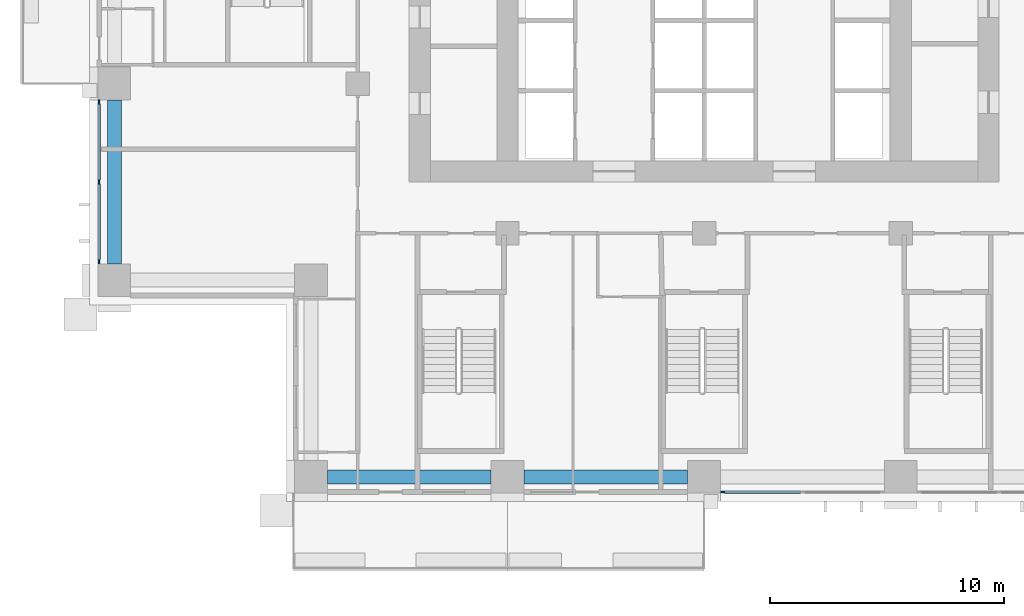
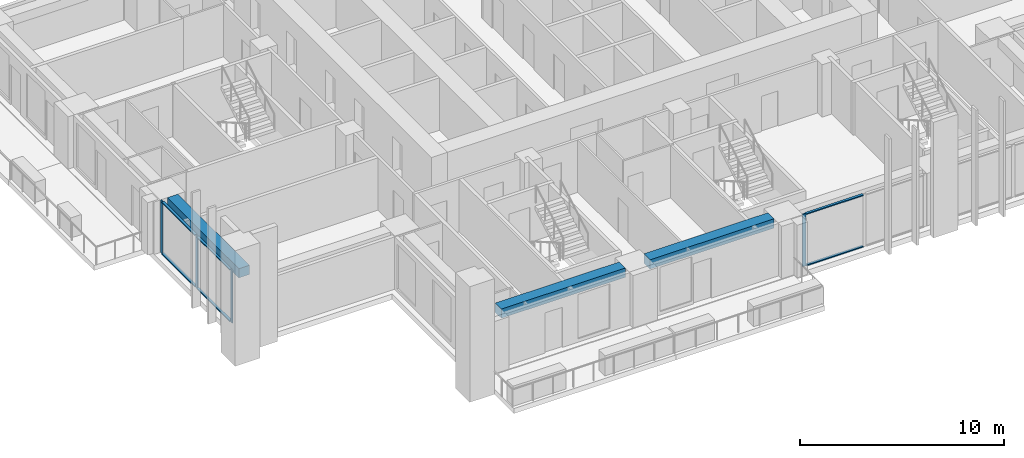
# One storey, part 2 of 18: 10 members, 3 beams, 2 elements without a shape of their own.
"""IFC4 building model written with IfcOpenShell, lengths in metres."""

from ifc_helpers import new_model, si_unit, direction, frame, origin, origin_2d, place, context, subcontext, project, spatial, rectangle, extrude, material, material_profile, profile_set, type_object, element, aggregate, save


model = new_model("IFC4")

# Units and contexts
model_context = context("Model", 3, precision=1e-05, world=origin(), true_north=direction((0.0, 1.0)))
body_context = subcontext(model_context, "Body", "Model", "MODEL_VIEW")
ifc_project = project(units=[si_unit("LENGTHUNIT", "METRE"), si_unit("AREAUNIT", "SQUARE_METRE"), si_unit("VOLUMEUNIT", "CUBIC_METRE"), si_unit("PLANEANGLEUNIT", "RADIAN"), si_unit("MASSUNIT", "GRAM", prefix="KILO")], contexts=[model_context])

# Site, building, storey
site_placement = place(None, origin())
site = spatial("IfcSite", under=ifc_project, at=site_placement, CompositionType="ELEMENT")
building_placement = place(site_placement, origin())
building = spatial("IfcBuilding", under=site, at=building_placement, Name="Vermilion Ogive Tower", CompositionType="ELEMENT")
storey_placement = place(building_placement, frame((0.0, 0.0, 55.199951171875)))
storey = spatial("IfcBuildingStorey", under=building, at=storey_placement, Name="L12", CompositionType="ELEMENT", Elevation=55.199951171875)

# Curtain wall, member
ifc_material_1 = material(Name="Low-iron laminated glazing in aluminium frame", Category="aluminium")
curtain_wall_type = type_object("IfcCurtainWallType", Name="Curtain wall CW7", PredefinedType="NOTDEFINED", material=ifc_material_1)
curtain_wall_1_placement = place(storey_placement, origin())
curtain_wall_1 = element("IfcCurtainWall", 1, at=curtain_wall_1_placement, inside=storey, type_object=curtain_wall_type, Name="Glazed skin S3", PredefinedType="NOTDEFINED")
ifc_material_2 = material(Name="Aluminium mullion", Category="aluminium")
ifc_material_profile_1 = material_profile(ifc_material_2, rectangle(XDim=0.06005859375, YDim=0.179931640625, at=origin_2d()), Name="AL 60x180")
ifc_profile_set_1 = profile_set([ifc_material_profile_1], Name="Aluminium mullion")
member_type_1 = type_object("IfcMemberType", Name="CW7 mullion 60x180", PredefinedType="MULLION", material=ifc_profile_set_1)
member_1_placement = place(storey_placement, frame((0.7900390625, -21.64990234375, 0.0), z_axis=(0.0, 0.0, 1.0), x_axis=(0.0, 1.0, 0.0)))
member_1 = element("IfcMember", 2, at=member_1_placement, type_object=member_type_1, Name="CW7-S3 mullion 1", PredefinedType="MULLION", context=body_context, shape_type="SweptSolid", body=[
    extrude(rectangle(XDim=0.06005859375, YDim=0.179931640625, at=origin_2d()), origin(), (0.0, 0.0, 1.0), 3.130126953125),
])

# Curtain wall, members
curtain_wall_2_placement = place(storey_placement, origin())
curtain_wall_2 = element("IfcCurtainWall", 3, at=curtain_wall_2_placement, inside=storey, type_object=curtain_wall_type, Name="Glazed skin W3", PredefinedType="NOTDEFINED")
member_2_placement = place(storey_placement, frame((-25.85009765625, -4.989990234375, 0.0), z_axis=(0.0, 0.0, 1.0), x_axis=(1.0, 0.0, 0.0)))
member_2 = element("IfcMember", 4, at=member_2_placement, type_object=member_type_1, Name="CW7-W3 mullion 1", PredefinedType="MULLION", context=body_context, shape_type="SweptSolid", body=[
    extrude(rectangle(XDim=0.06005859375, YDim=0.179931640625, at=origin_2d()), origin(), (0.0, 0.0, 1.0), 3.130126953125),
])
member_3_placement = place(storey_placement, frame((-25.85009765625, -8.39990234375, 0.0), z_axis=(0.0, 0.0, 1.0), x_axis=(1.0, 0.0, 0.0)))
member_3 = element("IfcMember", 5, at=member_3_placement, type_object=member_type_1, Name="CW7-W3 mullion 2", PredefinedType="MULLION", context=body_context, shape_type="SweptSolid", body=[
    extrude(rectangle(XDim=0.06005859375, YDim=0.179931640625, at=origin_2d()), origin(), (0.0, 0.0, 1.0), 3.130126953125),
])
member_4_placement = place(storey_placement, frame((-25.85009765625, -11.81005859375, 0.0), z_axis=(0.0, 0.0, 1.0), x_axis=(1.0, 0.0, 0.0)))
member_4 = element("IfcMember", 6, at=member_4_placement, type_object=member_type_1, Name="CW7-W3 mullion 3", PredefinedType="MULLION", context=body_context, shape_type="SweptSolid", body=[
    extrude(rectangle(XDim=0.06005859375, YDim=0.179931640625, at=origin_2d()), origin(), (0.0, 0.0, 1.0), 3.130126953125),
])

# Member
ifc_material_3 = material(Name="Aluminium transom", Category="aluminium")
ifc_material_profile_2 = material_profile(ifc_material_3, rectangle(XDim=0.139892578125, YDim=0.06005859375, at=origin_2d()), Name="AL 60x140")
ifc_profile_set_2 = profile_set([ifc_material_profile_2], Name="Aluminium transom")
member_type_2 = type_object("IfcMemberType", Name="CW7 transom 60x140", PredefinedType="USERDEFINED", material=ifc_profile_set_2)
member_5_placement = place(storey_placement, frame((0.8798828125, -21.64990234375, 0.030029296875), z_axis=(1.0, 0.0, 0.0), x_axis=(0.0, 1.0, 0.0)))
member_5 = element("IfcMember", 7, at=member_5_placement, type_object=member_type_2, Name="CW7-S3 transom 1.1", ObjectType="TRANSOM", PredefinedType="USERDEFINED", context=body_context, shape_type="SweptSolid", body=[
    extrude(rectangle(XDim=0.139892578125, YDim=0.06005859375, at=origin_2d()), origin(), (0.0, 0.0, 1.0), 3.230224609375),
])

member_6_placement = place(storey_placement, frame((0.8798828125, -21.64990234375, 3.10009765625), z_axis=(1.0, 0.0, 0.0), x_axis=(0.0, 1.0, 0.0)))
member_6 = element("IfcMember", 8, at=member_6_placement, type_object=member_type_2, Name="CW7-S3 transom 1.2", ObjectType="TRANSOM", PredefinedType="USERDEFINED", context=body_context, shape_type="SweptSolid", body=[
    extrude(rectangle(XDim=0.139892578125, YDim=0.06005859375, at=origin_2d()), origin(), (0.0, 0.0, 1.0), 3.230224609375),
])

aggregate(curtain_wall_1, [member_1, member_5, member_6])

member_7_placement = place(storey_placement, frame((-25.85009765625, -5.080078125, 0.030029296875), z_axis=(0.0, -1.0, 0.0), x_axis=(1.0, 0.0, 0.0)))
member_7 = element("IfcMember", 9, at=member_7_placement, type_object=member_type_2, Name="CW7-W3 transom 1.1", ObjectType="TRANSOM", PredefinedType="USERDEFINED", context=body_context, shape_type="SweptSolid", body=[
    extrude(rectangle(XDim=0.139892578125, YDim=0.06005859375, at=origin_2d()), origin(), (0.0, 0.0, 1.0), 3.22998046875),
])

member_8_placement = place(storey_placement, frame((-25.85009765625, -5.080078125, 3.10009765625), z_axis=(0.0, -1.0, 0.0), x_axis=(1.0, 0.0, 0.0)))
member_8 = element("IfcMember", 10, at=member_8_placement, type_object=member_type_2, Name="CW7-W3 transom 1.2", ObjectType="TRANSOM", PredefinedType="USERDEFINED", context=body_context, shape_type="SweptSolid", body=[
    extrude(rectangle(XDim=0.139892578125, YDim=0.06005859375, at=origin_2d()), origin(), (0.0, 0.0, 1.0), 3.22998046875),
])

member_9_placement = place(storey_placement, frame((-25.85009765625, -8.489990234375, 0.030029296875), z_axis=(0.0, -1.0, 0.0), x_axis=(1.0, 0.0, 0.0)))
member_9 = element("IfcMember", 11, at=member_9_placement, type_object=member_type_2, Name="CW7-W3 transom 2.1", ObjectType="TRANSOM", PredefinedType="USERDEFINED", context=body_context, shape_type="SweptSolid", body=[
    extrude(rectangle(XDim=0.139892578125, YDim=0.06005859375, at=origin_2d()), origin(), (0.0, 0.0, 1.0), 3.22998046875),
])

member_10_placement = place(storey_placement, frame((-25.85009765625, -8.489990234375, 3.10009765625), z_axis=(0.0, -1.0, 0.0), x_axis=(1.0, 0.0, 0.0)))
member_10 = element("IfcMember", 12, at=member_10_placement, type_object=member_type_2, Name="CW7-W3 transom 2.2", ObjectType="TRANSOM", PredefinedType="USERDEFINED", context=body_context, shape_type="SweptSolid", body=[
    extrude(rectangle(XDim=0.139892578125, YDim=0.06005859375, at=origin_2d()), origin(), (0.0, 0.0, 1.0), 3.22998046875),
])

aggregate(curtain_wall_2, [member_2, member_3, member_4, member_7, member_8, member_9, member_10])

# Beams
ifc_material_4 = material(Name="Concrete B45", Category="concrete")
ifc_material_profile_3 = material_profile(ifc_material_4, rectangle(XDim=0.60009765625, YDim=0.550048828125, at=origin_2d()), Name="600 x 550")
ifc_profile_set_3 = profile_set([ifc_material_profile_3], Name="Concrete B45")
beam_type = type_object("IfcBeamType", Name="Edge beam 600 x 550 B45", PredefinedType="BEAM", material=ifc_profile_set_3)
for number, where, z_axis, x_axis, name in (
    (13, (-16.10009765625, -21.0, 2.85498046875), (1.0, 0.0, 0.0), (0.0, 1.0, 0.0), "L12-EB-1"),
    (14, (-7.699951171875, -21.0, 2.85498046875), (1.0, 0.0, 0.0), (0.0, 1.0, 0.0), "L12-EB-2"),
    (15, (-25.199951171875, -4.89990234375, 2.85498046875), (0.0, -1.0, 0.0), (1.0, 0.0, 0.0), "L12-EB-16"),
):
    element("IfcBeam", number, at=place(storey_placement, frame(where, z_axis=z_axis, x_axis=x_axis)), inside=storey, type_object=beam_type, Name=name, PredefinedType="BEAM", context=body_context, shape_type="SweptSolid", body=[
        extrude(rectangle(XDim=0.60009765625, YDim=0.550048828125, at=origin_2d()), origin(), (0.0, 0.0, 1.0), 7.0),
    ])

save(model, "model.ifc")
